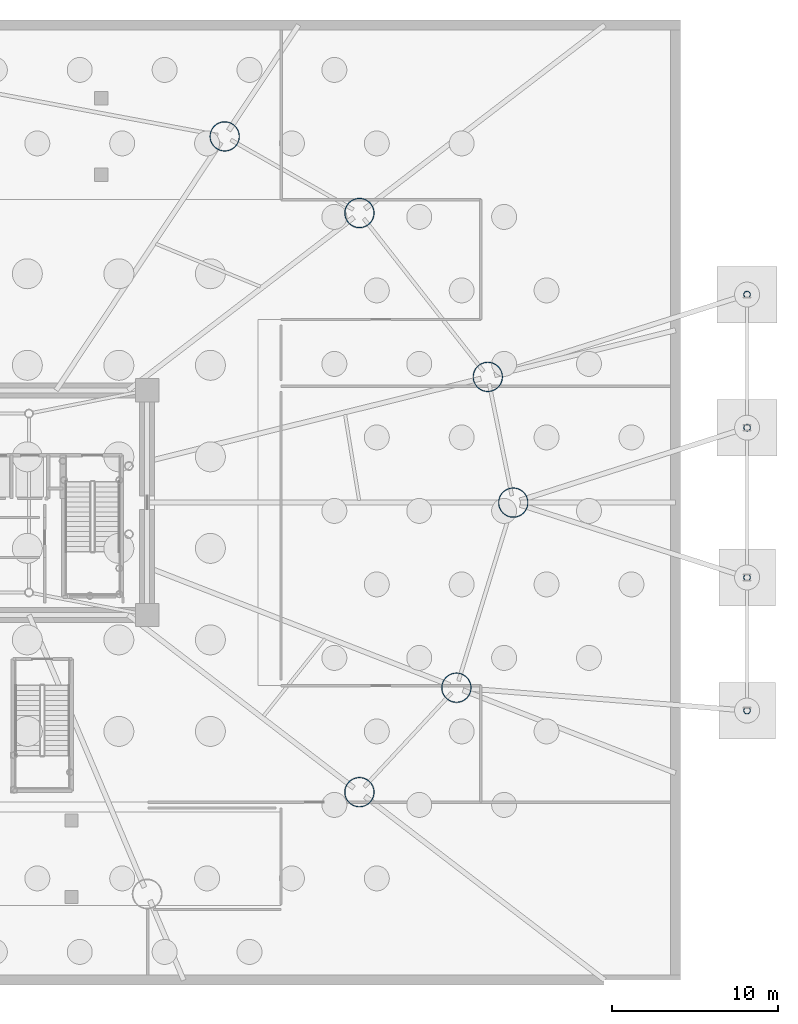
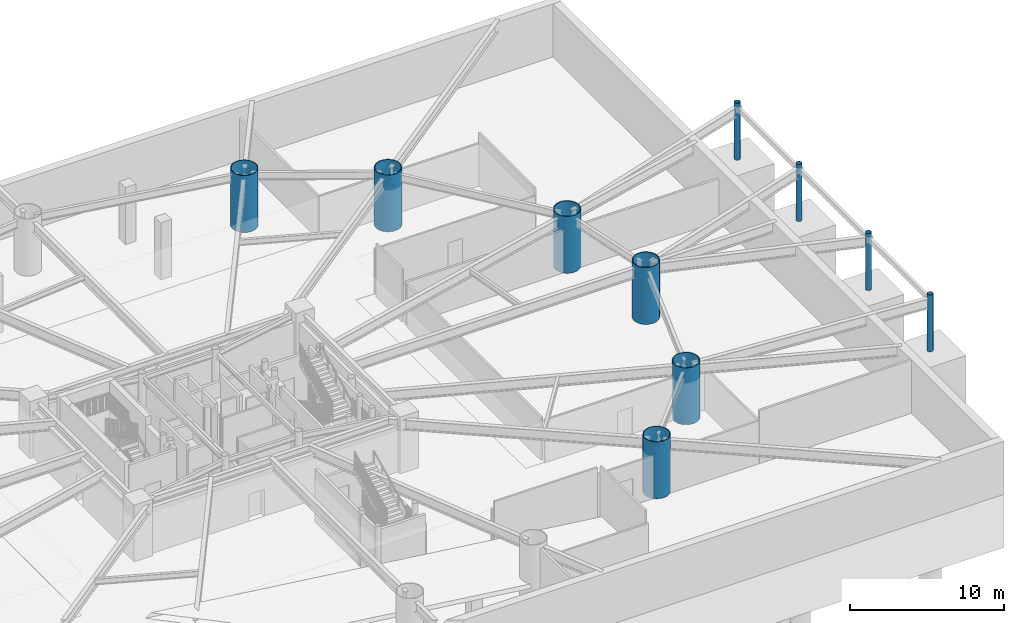
# One storey, part 4 of 18: 10 columns.
"""IFC4 building model written with IfcOpenShell, lengths in metres."""

from ifc_helpers import new_model, si_unit, direction, frame, origin, origin_2d, place, context, subcontext, project, spatial, hollow_circle, extrude, material, material_profile, profile_set, type_object, element, save


model = new_model("IFC4")

# Units and contexts
model_context = context("Model", 3, precision=1e-05, world=origin(), true_north=direction((0.0, 1.0)))
body_context = subcontext(model_context, "Body", "Model", "MODEL_VIEW")
ifc_project = project(units=[si_unit("LENGTHUNIT", "METRE"), si_unit("AREAUNIT", "SQUARE_METRE"), si_unit("VOLUMEUNIT", "CUBIC_METRE"), si_unit("PLANEANGLEUNIT", "RADIAN"), si_unit("MASSUNIT", "GRAM", prefix="KILO")], contexts=[model_context])

# Site, building, storey
site_placement = place(None, origin())
site = spatial("IfcSite", under=ifc_project, at=site_placement, CompositionType="ELEMENT")
building_placement = place(site_placement, origin())
building = spatial("IfcBuilding", under=site, at=building_placement, Name="Linh Dai School and Residence Tower", CompositionType="ELEMENT")
storey_placement = place(building_placement, frame((0.0, 0.0, -9.0)))
storey = spatial("IfcBuildingStorey", under=building, at=storey_placement, Name="B02", CompositionType="ELEMENT", Elevation=-9.0)

# Columns
ifc_material = material(Name="Structural Steel S355JR", Category="steel")
ifc_material_profile_1 = material_profile(ifc_material, hollow_circle(Radius=0.203125, WallThickness=0.01611328125, at=origin_2d()), Name="CHS 406.4x16")
ifc_profile_set_1 = profile_set([ifc_material_profile_1], Name="Structural Steel S355JR")
column_type_1 = type_object("IfcColumnType", Name="COL-EC", PredefinedType="COLUMN", material=ifc_profile_set_1)
for number, where, z_axis, x_axis, name in (
    (1, (82.0, 14.5, 0.0), (0.0, 0.0, 1.0), (1.0, 0.0, 0.0), "B02 East Arrival Canopy Pier EC1"),
    (2, (82.0, 22.5, 0.0), (0.0, 0.0, 1.0), (1.0, 0.0, 0.0), "B02 East Arrival Canopy Pier EC2"),
    (3, (82.0, 31.5, 0.0), (0.0, 0.0, 1.0), (1.0, 0.0, 0.0), "B02 East Arrival Canopy Pier EC3"),
    (4, (82.0, 39.5, 0.0), (0.0, 0.0, 1.0), (1.0, 0.0, 0.0), "B02 East Arrival Canopy Pier EC4"),
):
    element("IfcColumn", number, at=place(storey_placement, frame(where, z_axis=z_axis, x_axis=x_axis)), inside=storey, type_object=column_type_1, Name=name, PredefinedType="COLUMN", context=body_context, shape_type="SweptSolid", body=[
        extrude(hollow_circle(Radius=0.203125, WallThickness=0.01611328125, at=origin_2d()), origin(), (0.0, 0.0, 1.0), 4.5),
    ])
ifc_material_profile_2 = material_profile(ifc_material, hollow_circle(Radius=0.89990234375, WallThickness=0.050048828125, at=origin_2d()), Name="CHS 1800x50")
ifc_profile_set_2 = profile_set([ifc_material_profile_2], Name="Structural Steel S355JR")
column_type_2 = type_object("IfcColumnType", Name="COL-MC1", PredefinedType="COLUMN", material=ifc_profile_set_2)
for number, where, z_axis, x_axis, name in (
    (5, (67.949951171875, 27.0, 0.0), (0.0, 0.0, 1.0), (1.0, 0.0, 0.0), "B02 Perimeter CFT Mega-Column MC01"),
    (6, (66.42041015625, 34.555419921875, 0.0), (0.0, 0.0, 1.0), (1.0, 0.0, 0.0), "B02 Perimeter CFT Mega-Column MC02"),
    (7, (58.705322265625, 44.400634765625, 0.0), (0.0, 0.0, 1.0), (1.0, 0.0, 0.0), "B02 Perimeter CFT Mega-Column MC03"),
    (8, (50.609130859375, 49.005126953125, 0.0), (0.0, 0.0, 1.0), (1.0, 0.0, 0.0), "B02 Perimeter CFT Mega-Column MC04"),
    (9, (58.705322265625, 9.599365234375, 0.0), (0.0, 0.0, 1.0), (1.0, 0.0, 0.0), "B02 Perimeter CFT Mega-Column MC15"),
    (10, (64.53369140625, 15.8779296875, 0.0), (0.0, 0.0, 1.0), (1.0, 0.0, 0.0), "B02 Perimeter CFT Mega-Column MC16"),
):
    element("IfcColumn", number, at=place(storey_placement, frame(where, z_axis=z_axis, x_axis=x_axis)), inside=storey, type_object=column_type_2, Name=name, PredefinedType="COLUMN", context=body_context, shape_type="SweptSolid", body=[
        extrude(hollow_circle(Radius=0.89990234375, WallThickness=0.050048828125, at=origin_2d()), origin(), (0.0, 0.0, 1.0), 4.5),
    ])

save(model, "model.ifc")
